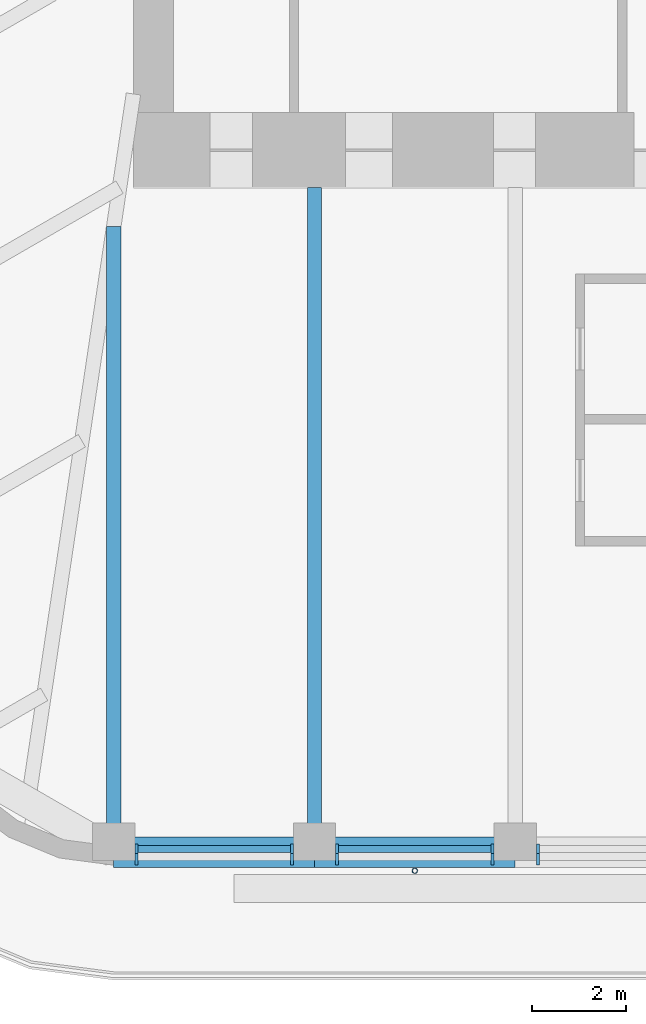
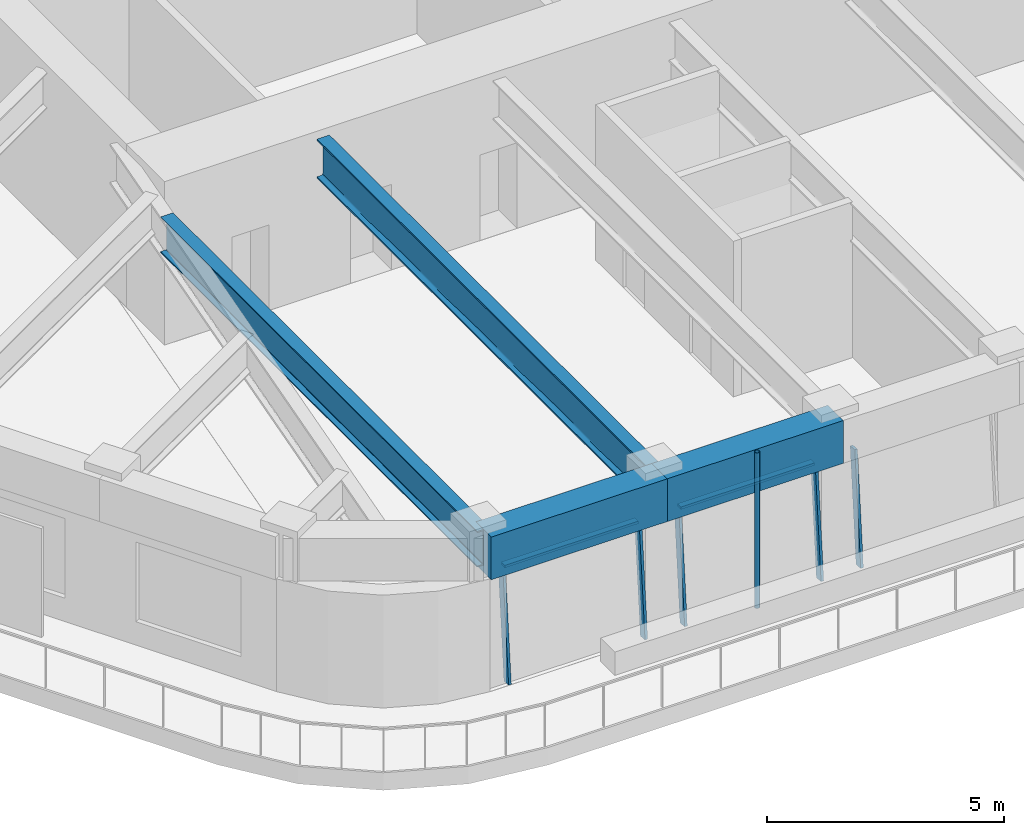
# One storey, part 2 of 19: 8 members, 4 beams, 3 elements without a shape of their own.
"""IFC4 building model written with IfcOpenShell, lengths in metres."""

from ifc_helpers import new_model, si_unit, direction, frame, origin, origin_2d, place, context, subcontext, project, spatial, rectangle, hollow_circle, i_section, extrude, material, material_profile, profile_set, type_object, element, aggregate, save


model = new_model("IFC4")

# Units and contexts
model_context = context("Model", 3, precision=1e-05, world=origin(), true_north=direction((0.0, 1.0)))
body_context = subcontext(model_context, "Body", "Model", "MODEL_VIEW")
ifc_project = project(units=[si_unit("LENGTHUNIT", "METRE"), si_unit("AREAUNIT", "SQUARE_METRE"), si_unit("VOLUMEUNIT", "CUBIC_METRE"), si_unit("PLANEANGLEUNIT", "RADIAN"), si_unit("MASSUNIT", "GRAM", prefix="KILO")], contexts=[model_context])

# Site, building, storey
site_placement = place(None, origin())
site = spatial("IfcSite", under=ifc_project, at=site_placement, CompositionType="ELEMENT")
building_placement = place(site_placement, origin())
building = spatial("IfcBuilding", under=site, at=building_placement, Name="Tarfa Lantern Tower", CompositionType="ELEMENT")
storey_placement = place(building_placement, frame((0.0, 0.0, 370.300048828125)))
storey = spatial("IfcBuildingStorey", under=building, at=storey_placement, Name="L84", CompositionType="ELEMENT", Elevation=370.300048828125)

# Curtain wall, members
ifc_material_1 = material(Name="Aluminium framed curtain wall", Category="aluminium")
curtain_wall_type = type_object("IfcCurtainWallType", Name="CW4 CANTED GLAZING EXECUTIVE ZONE 2900", PredefinedType="USERDEFINED", material=ifc_material_1)
curtain_wall_1_placement = place(storey_placement, origin())
curtain_wall_1 = element("IfcCurtainWall", 1, at=curtain_wall_1_placement, inside=storey, type_object=curtain_wall_type, Name="CW4 S L84", ObjectType="CURTAIN WALL", PredefinedType="USERDEFINED")
ifc_material_2 = material(Name="Aluminium mullion", Category="aluminium")
ifc_material_profile_1 = material_profile(ifc_material_2, rectangle(XDim=0.06494140625, YDim=0.199951171875, at=origin_2d()), Name="AL MULLION 65x200")
ifc_profile_set_1 = profile_set([ifc_material_profile_1], Name="Aluminium mullion")
member_type_1 = type_object("IfcMemberType", Name="CWM1 MULLION 65x200", PredefinedType="MULLION", material=ifc_profile_set_1)
member_1_placement = place(storey_placement, frame((-12.363525390625, -26.64990234375, 0.0), z_axis=(0.0, 0.085891213166, 0.99630452147), x_axis=(-1.0, 0.0, 0.0)))
member_1 = element("IfcMember", 2, at=member_1_placement, type_object=member_type_1, Name="CW4 mullion 1", PredefinedType="MULLION", context=body_context, shape_type="SweptSolid", body=[
    extrude(rectangle(XDim=0.06494140625, YDim=0.199951171875, at=origin_2d()), origin(), (0.0, 0.0, 1.0), 2.91064453125),
])
member_2_placement = place(storey_placement, frame((-9.046630859375, -26.64990234375, 0.0), z_axis=(0.0, 0.085891213166, 0.99630452147), x_axis=(-1.0, 0.0, 0.0)))
member_2 = element("IfcMember", 3, at=member_2_placement, type_object=member_type_1, Name="CW4 mullion 2", PredefinedType="MULLION", context=body_context, shape_type="SweptSolid", body=[
    extrude(rectangle(XDim=0.06494140625, YDim=0.199951171875, at=origin_2d()), origin(), (0.0, 0.0, 1.0), 2.91064453125),
])

curtain_wall_2_placement = place(storey_placement, origin())
curtain_wall_2 = element("IfcCurtainWall", 4, at=curtain_wall_2_placement, inside=storey, type_object=curtain_wall_type, Name="CW4 S L84", ObjectType="CURTAIN WALL", PredefinedType="USERDEFINED")
member_3_placement = place(storey_placement, frame((-8.08154296875, -26.64990234375, 0.0), z_axis=(0.0, 0.085891213166, 0.99630452147), x_axis=(-1.0, 0.0, 0.0)))
member_3 = element("IfcMember", 5, at=member_3_placement, type_object=member_type_1, Name="CW4 mullion 1", PredefinedType="MULLION", context=body_context, shape_type="SweptSolid", body=[
    extrude(rectangle(XDim=0.06494140625, YDim=0.199951171875, at=origin_2d()), origin(), (0.0, 0.0, 1.0), 2.91064453125),
])
member_4_placement = place(storey_placement, frame((-4.764404296875, -26.64990234375, 0.0), z_axis=(0.0, 0.085891213166, 0.99630452147), x_axis=(-1.0, 0.0, 0.0)))
member_4 = element("IfcMember", 6, at=member_4_placement, type_object=member_type_1, Name="CW4 mullion 2", PredefinedType="MULLION", context=body_context, shape_type="SweptSolid", body=[
    extrude(rectangle(XDim=0.06494140625, YDim=0.199951171875, at=origin_2d()), origin(), (0.0, 0.0, 1.0), 2.91064453125),
])

# Curtain wall, member
curtain_wall_3_placement = place(storey_placement, origin())
curtain_wall_3 = element("IfcCurtainWall", 7, at=curtain_wall_3_placement, inside=storey, type_object=curtain_wall_type, Name="CW4 S L84", ObjectType="CURTAIN WALL", PredefinedType="USERDEFINED")
member_5_placement = place(storey_placement, frame((-3.799560546875, -26.64990234375, 0.0), z_axis=(0.0, 0.085891213166, 0.99630452147), x_axis=(-1.0, 0.0, 0.0)))
member_5 = element("IfcMember", 8, at=member_5_placement, type_object=member_type_1, Name="CW4 mullion 1", PredefinedType="MULLION", context=body_context, shape_type="SweptSolid", body=[
    extrude(rectangle(XDim=0.06494140625, YDim=0.199951171875, at=origin_2d()), origin(), (0.0, 0.0, 1.0), 2.91064453125),
])
aggregate(curtain_wall_3, [member_5])

# Member
ifc_material_3 = material(Name="Aluminium transom", Category="aluminium")
ifc_material_profile_2 = material_profile(ifc_material_3, rectangle(XDim=0.14990234375, YDim=0.06494140625, at=origin_2d()), Name="AL TRANSOM 150x65")
ifc_profile_set_2 = profile_set([ifc_material_profile_2], Name="Aluminium transom")
member_type_2 = type_object("IfcMemberType", Name="CWT1 TRANSOM 150x65", PredefinedType="USERDEFINED", material=ifc_profile_set_2)
member_6_placement = place(storey_placement, frame((-12.3310546875, -26.40283203125, 2.867431640625), z_axis=(1.0, 0.0, 0.0), x_axis=(0.0, 1.0, 0.0)))
member_6 = element("IfcMember", 9, at=member_6_placement, type_object=member_type_2, Name="CW4 transom 1.2", ObjectType="TRANSOM", PredefinedType="USERDEFINED", context=body_context, shape_type="SweptSolid", body=[
    extrude(rectangle(XDim=0.14990234375, YDim=0.06494140625, at=origin_2d()), origin(), (0.0, 0.0, 1.0), 3.251953125),
])

aggregate(curtain_wall_1, [member_1, member_2, member_6])

member_7_placement = place(storey_placement, frame((-8.049072265625, -26.40283203125, 2.867431640625), z_axis=(1.0, 0.0, 0.0), x_axis=(0.0, 1.0, 0.0)))
member_7 = element("IfcMember", 10, at=member_7_placement, type_object=member_type_2, Name="CW4 transom 1.2", ObjectType="TRANSOM", PredefinedType="USERDEFINED", context=body_context, shape_type="SweptSolid", body=[
    extrude(rectangle(XDim=0.14990234375, YDim=0.06494140625, at=origin_2d()), origin(), (0.0, 0.0, 1.0), 3.251953125),
])

aggregate(curtain_wall_2, [member_3, member_4, member_7])

# Beams
ifc_material_4 = material(Name="Concrete C80/95", Category="concrete")
ifc_material_profile_3 = material_profile(ifc_material_4, rectangle(XDim=0.64990234375, YDim=1.10009765625, at=origin_2d()), Name="RC 650x1100")
ifc_profile_set_3 = profile_set([ifc_material_profile_3], Name="Concrete C80/95")
beam_type_1 = type_object("IfcBeamType", Name="EB4 RC 650x1100", PredefinedType="SPANDREL", material=ifc_profile_set_3)
for number, where, z_axis, x_axis, name in (
    (11, (-12.845947265625, -26.469970703125, 3.449951171875), (1.0, 0.0, 0.0), (0.0, 1.0, 0.0), "Edge beam S0"),
    (12, (-8.56396484375, -26.469970703125, 3.449951171875), (1.0, 0.0, 0.0), (0.0, 1.0, 0.0), "Edge beam S1"),
):
    element("IfcBeam", number, at=place(storey_placement, frame(where, z_axis=z_axis, x_axis=x_axis)), inside=storey, type_object=beam_type_1, Name=name, PredefinedType="SPANDREL", context=body_context, shape_type="SweptSolid", body=[
        extrude(rectangle(XDim=0.64990234375, YDim=1.10009765625, at=origin_2d()), origin(), (0.0, 0.0, 1.0), 4.281982421875),
    ])

# Member
ifc_material_5 = material(Name="Steel S355", Category="steel")
ifc_material_profile_4 = material_profile(ifc_material_5, hollow_circle(Radius=0.05712890625, WallThickness=0.00634765625, at=origin_2d()), Name="CHS114.3x6.3")
ifc_profile_set_4 = profile_set([ifc_material_profile_4], Name="Steel S355")
member_type_3 = type_object("IfcMemberType", Name="TR1 GREEN WALL TRELLIS CHS114.3x6.3", PredefinedType="USERDEFINED", material=ifc_profile_set_4)
member_8_placement = place(storey_placement, frame((-6.423095703125, -26.8701171875, 0.0), z_axis=(0.0, 0.0, 1.0), x_axis=(1.0, 0.0, 0.0)))
element("IfcMember", 13, at=member_8_placement, inside=storey, type_object=member_type_3, Name="Trellis post S 1", ObjectType="TRELLIS", PredefinedType="USERDEFINED", context=body_context, shape_type="SweptSolid", body=[
    extrude(hollow_circle(Radius=0.05712890625, WallThickness=0.00634765625, at=origin_2d()), origin(), (0.0, 0.0, 1.0), 4.0),
])

# Beams
ifc_material_6 = material(Name="Steel S460M", Category="steel")
ifc_material_profile_5 = material_profile(ifc_material_6, i_section(OverallWidth=0.302001953125, OverallDepth=1.008056640625, WebThickness=0.02099609375, FlangeThickness=0.0400390625, FilletRadius=0.030029296875, at=origin_2d()), Name="UB1016x305x349")
ifc_profile_set_5 = profile_set([ifc_material_profile_5], Name="Steel S460M")
beam_type_2 = type_object("IfcBeamType", Name="UB1016x305x349", PredefinedType="BEAM", material=ifc_profile_set_5)
beam_1_placement = place(storey_placement, frame((-8.56396484375, -26.469970703125, 3.495849609375), z_axis=(0.0, 1.0, 0.0), x_axis=(-1.0, 0.0, 0.0)))
element("IfcBeam", 14, at=beam_1_placement, inside=storey, type_object=beam_type_2, Name="Floor beam S1", PredefinedType="BEAM", context=body_context, shape_type="SweptSolid", body=[
    extrude(i_section(OverallWidth=0.302001953125, OverallDepth=1.008056640625, WebThickness=0.02099609375, FlangeThickness=0.0400390625, FilletRadius=0.030029296875, at=origin_2d()), origin(), (0.0, 0.0, 1.0), 14.169921875),
])
ifc_material_profile_6 = material_profile(ifc_material_6, i_section(OverallWidth=0.305419921875, OverallDepth=0.91845703125, WebThickness=0.017333984375, FlangeThickness=0.02783203125, FilletRadius=0.01904296875, at=origin_2d()), Name="UB914x305x253")
ifc_profile_set_6 = profile_set([ifc_material_profile_6], Name="Steel S460M")
beam_type_3 = type_object("IfcBeamType", Name="UB914x305x253", PredefinedType="BEAM", material=ifc_profile_set_6)
beam_2_placement = place(storey_placement, frame((-12.845947265625, -26.469970703125, 3.540771484375), z_axis=(0.0, 1.0, 0.0), x_axis=(-1.0, 0.0, 0.0)))
element("IfcBeam", 15, at=beam_2_placement, inside=storey, type_object=beam_type_3, Name="Floor beam S0", PredefinedType="BEAM", context=body_context, shape_type="SweptSolid", body=[
    extrude(i_section(OverallWidth=0.305419921875, OverallDepth=0.91845703125, WebThickness=0.017333984375, FlangeThickness=0.02783203125, FilletRadius=0.01904296875, at=origin_2d()), origin(), (0.0, 0.0, 1.0), 13.33935546875),
])

save(model, "model.ifc")
